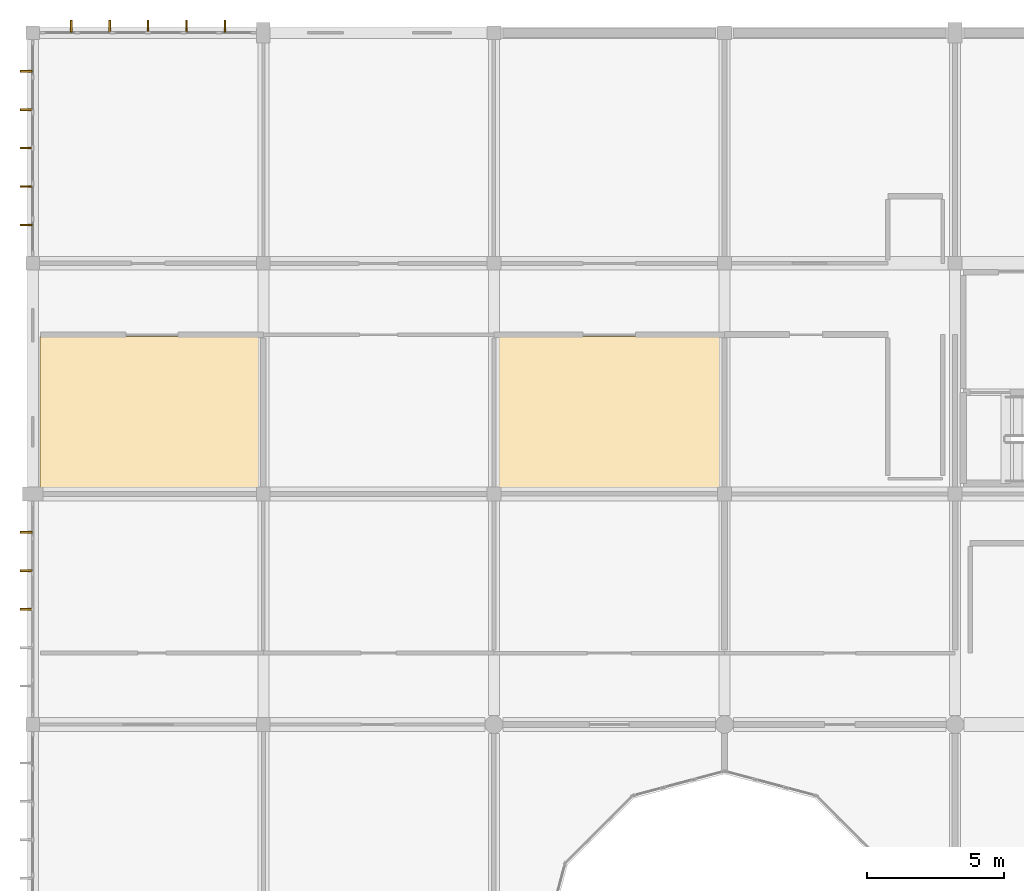
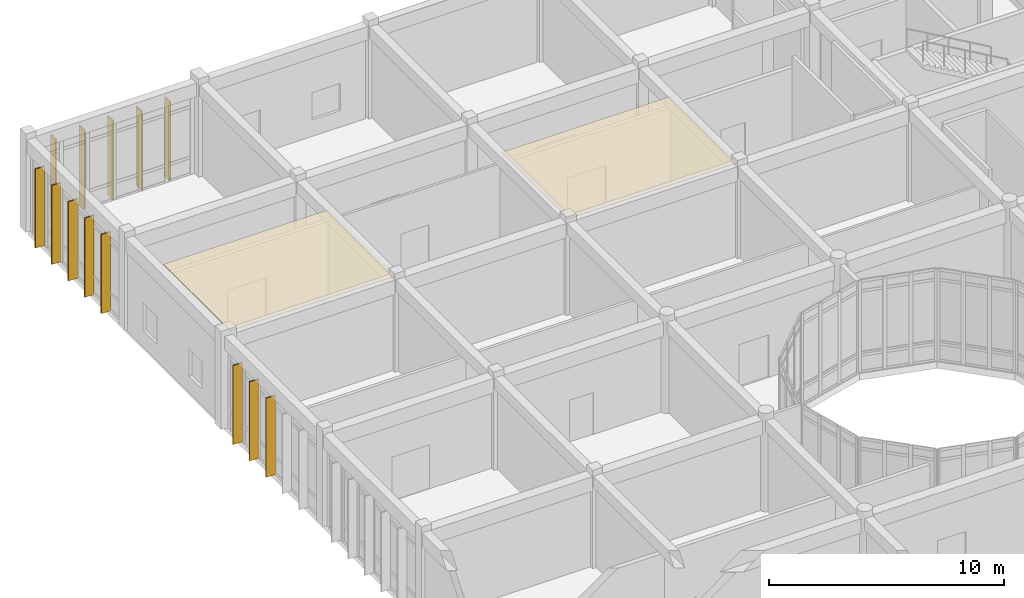
# One storey, part 124 of 134: 13 shading devices, 2 coverings.
"""IFC4 building model written with IfcOpenShell, lengths in metres."""

from ifc_helpers import new_model, si_unit, direction, frame, origin, origin_2d, place, context, subcontext, project, spatial, polyline, rectangle, outline, extrude, material, layer, layer_set, material_profile, profile_set, type_object, element, save


model = new_model("IFC4")

# Units and contexts
model_context = context("Model", 3, precision=1e-05, world=origin(), true_north=direction((0.0, 1.0)))
body_context = subcontext(model_context, "Body", "Model", "MODEL_VIEW")
ifc_project = project(units=[si_unit("LENGTHUNIT", "METRE"), si_unit("AREAUNIT", "SQUARE_METRE"), si_unit("VOLUMEUNIT", "CUBIC_METRE"), si_unit("PLANEANGLEUNIT", "RADIAN"), si_unit("MASSUNIT", "GRAM", prefix="KILO")], contexts=[model_context])

# Site, building, storey
site_placement = place(None, origin())
site = spatial("IfcSite", under=ifc_project, at=site_placement, CompositionType="ELEMENT")
building_placement = place(site_placement, origin())
building = spatial("IfcBuilding", under=site, at=building_placement, Name="Bramfleet General Hospital", CompositionType="ELEMENT")
storey_placement = place(building_placement, frame((0.0, 0.0, 9.300048828125)))
storey = spatial("IfcBuildingStorey", under=building, at=storey_placement, Name="L02", CompositionType="ELEMENT", Elevation=9.300048828125)

# Coverings
ifc_material_1 = material(Name="Hygienic acoustic mineral-fibre ceiling")
ifc_layer = layer(ifc_material_1, 0.02490234375, Name="COV-HYG-CEIL")
ifc_layer_set = layer_set([ifc_layer], Name="Hygienic acoustic mineral-fibre ceiling")
covering_type = type_object("IfcCoveringType", Name="COV-HYG-CEIL", PredefinedType="CEILING", material=ifc_layer_set)
covering_1_placement = place(storey_placement, frame((0.0, 0.0, 4.71484375)))
element("IfcCovering", 1, at=covering_1_placement, inside=storey, type_object=covering_type, Name="Operating Theatre 4 Hygienic Ceiling", PredefinedType="CEILING", context=body_context, shape_type="SweptSolid", body=[
    extrude(outline(polyline([(8.340087890625, 106.5400390625), (8.340087890625, 100.860107421875), (0.260009765625, 100.860107421875), (0.260009765625, 106.5400390625), (8.340087890625, 106.5400390625)])), origin(), (0.0, 0.0, 1.0), 0.025146484375),
])
covering_2_placement = place(storey_placement, frame((0.0, 0.0, 4.71484375)))
element("IfcCovering", 2, at=covering_2_placement, inside=storey, type_object=covering_type, Name="Operating Theatre 5 Hygienic Ceiling", PredefinedType="CEILING", context=body_context, shape_type="SweptSolid", body=[
    extrude(outline(polyline([(16.860107421875, 106.5400390625), (25.139892578125, 106.5400390625), (25.139892578125, 100.860107421875), (16.860107421875, 100.860107421875), (16.860107421875, 106.5400390625)])), origin(), (0.0, 0.0, 1.0), 0.025146484375),
])

# Shading devices
ifc_material_2 = material(Name="Treated European larch timber", Category="wood")
ifc_material_profile = material_profile(ifc_material_2, rectangle(XDim=0.06494140625, YDim=0.449951171875, at=origin_2d()), Name="LARCH FIN 450x65")
ifc_profile_set = profile_set([ifc_material_profile], Name="Treated European larch timber")
shading_device_type = type_object("IfcShadingDeviceType", Name="SHD-FIN-450", PredefinedType="USERDEFINED", material=ifc_profile_set)
for number, where, z_axis, x_axis, name in (
    (3, (-0.239990234375, 96.60009765625, -0.02001953125), (0.0, 0.0, 1.0), (0.0, 1.0, 0.0), "L02 Larch Timber Shading Fin 373"),
    (4, (-0.239990234375, 98.0, -0.02001953125), (0.0, 0.0, 1.0), (0.0, 1.0, 0.0), "L02 Larch Timber Shading Fin 374"),
    (5, (-0.239990234375, 99.39990234375, -0.02001953125), (0.0, 0.0, 1.0), (0.0, 1.0, 0.0), "L02 Larch Timber Shading Fin 375"),
    (6, (-0.239990234375, 110.60009765625, -0.02001953125), (0.0, 0.0, 1.0), (0.0, 1.0, 0.0), "L02 Larch Timber Shading Fin 376"),
    (7, (-0.239990234375, 112.0, -0.02001953125), (0.0, 0.0, 1.0), (0.0, 1.0, 0.0), "L02 Larch Timber Shading Fin 377"),
    (8, (-0.239990234375, 113.39990234375, -0.02001953125), (0.0, 0.0, 1.0), (0.0, 1.0, 0.0), "L02 Larch Timber Shading Fin 378"),
    (9, (-0.239990234375, 114.800048828125, -0.02001953125), (0.0, 0.0, 1.0), (0.0, 1.0, 0.0), "L02 Larch Timber Shading Fin 379"),
    (10, (-0.239990234375, 116.199951171875, -0.02001953125), (0.0, 0.0, 1.0), (0.0, 1.0, 0.0), "L02 Larch Timber Shading Fin 380"),
    (11, (1.39990234375, 117.840087890625, -0.02001953125), (0.0, 0.0, 1.0), (1.0, 0.0, 0.0), "L02 Larch Timber Shading Fin 381"),
    (12, (2.800048828125, 117.840087890625, -0.02001953125), (0.0, 0.0, 1.0), (1.0, 0.0, 0.0), "L02 Larch Timber Shading Fin 382"),
    (13, (4.199951171875, 117.840087890625, -0.02001953125), (0.0, 0.0, 1.0), (1.0, 0.0, 0.0), "L02 Larch Timber Shading Fin 383"),
    (14, (5.60009765625, 117.840087890625, -0.02001953125), (0.0, 0.0, 1.0), (1.0, 0.0, 0.0), "L02 Larch Timber Shading Fin 384"),
    (15, (7.0, 117.840087890625, -0.02001953125), (0.0, 0.0, 1.0), (1.0, 0.0, 0.0), "L02 Larch Timber Shading Fin 385"),
):
    element("IfcShadingDevice", number, at=place(storey_placement, frame(where, z_axis=z_axis, x_axis=x_axis)), inside=storey, type_object=shading_device_type, Name=name, ObjectType="Fin", PredefinedType="USERDEFINED", context=body_context, shape_type="SweptSolid", body=[
        extrude(rectangle(XDim=0.06494140625, YDim=0.449951171875, at=origin_2d()), origin(), (0.0, 0.0, 1.0), 4.099853515625),
    ])

save(model, "model.ifc")
